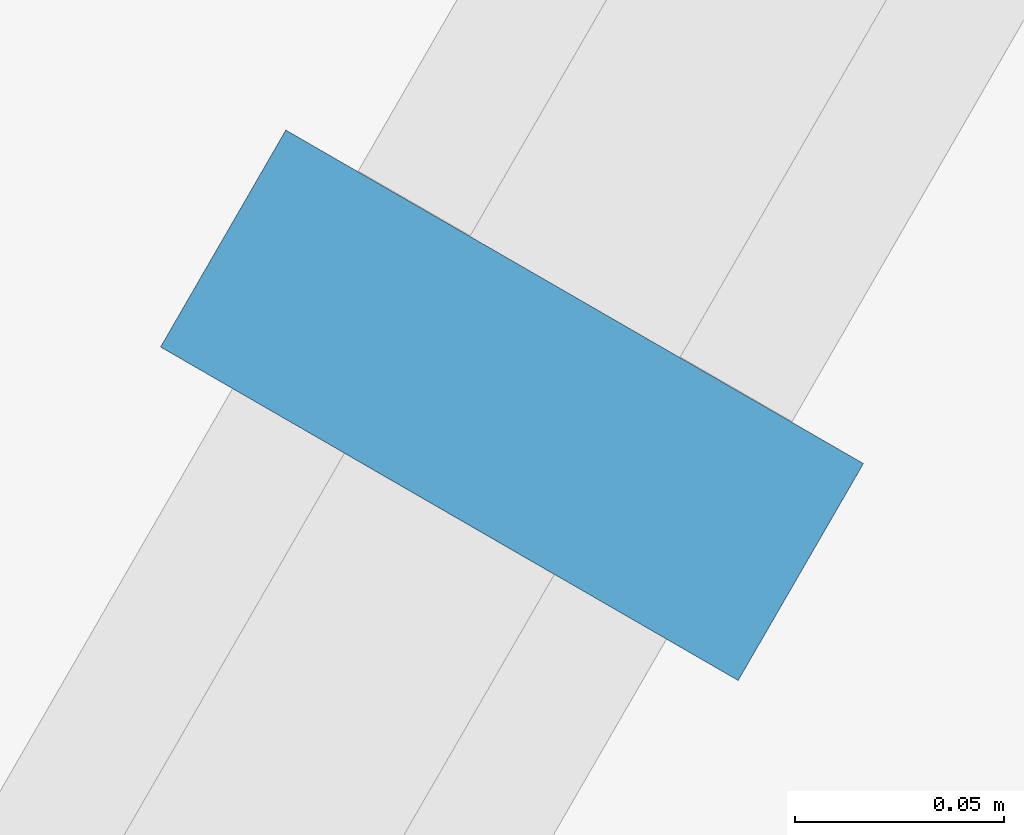
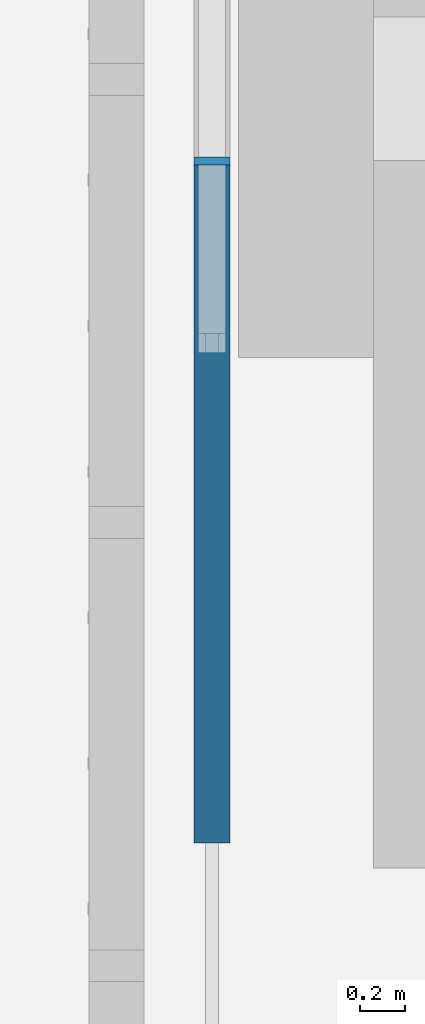
# One storey, part 57 of 127: 1 member, 1 element without a shape of its own.
"""IFC4 building model written with IfcOpenShell, lengths in metres."""

from ifc_helpers import new_model, si_unit, direction, frame, origin, origin_2d, place, context, subcontext, project, spatial, rectangle, extrude, material, material_profile, profile_set, type_object, element, aggregate, save


model = new_model("IFC4")

# Units and contexts
model_context = context("Model", 3, precision=1e-05, world=origin(), true_north=direction((0.0, 1.0)))
body_context = subcontext(model_context, "Body", "Model", "MODEL_VIEW")
ifc_project = project(units=[si_unit("LENGTHUNIT", "METRE"), si_unit("AREAUNIT", "SQUARE_METRE"), si_unit("VOLUMEUNIT", "CUBIC_METRE"), si_unit("PLANEANGLEUNIT", "RADIAN"), si_unit("MASSUNIT", "GRAM", prefix="KILO")], contexts=[model_context])

# Site, building, storey
site_placement = place(None, origin())
site = spatial("IfcSite", under=ifc_project, at=site_placement, CompositionType="ELEMENT")
building_placement = place(site_placement, origin())
building = spatial("IfcBuilding", under=site, at=building_placement, Name="Sandreach Pilgrim Tower", CompositionType="ELEMENT")
storey_placement = place(building_placement, frame((0.0, 0.0, 257.0)))
storey = spatial("IfcBuildingStorey", under=building, at=storey_placement, Name="L64", CompositionType="ELEMENT", Elevation=257.0)

# Curtain wall, member
ifc_material_1 = material(Name="Aluminium framed curtain wall", Category="aluminium")
curtain_wall_type = type_object("IfcCurtainWallType", Name="Suite tower curtain wall", PredefinedType="NOTDEFINED", material=ifc_material_1)
curtain_wall_placement = place(storey_placement, origin())
curtain_wall = element("IfcCurtainWall", 1, at=curtain_wall_placement, inside=storey, type_object=curtain_wall_type, Name="CW-4 L64 NW", PredefinedType="NOTDEFINED")
ifc_material_2 = material(Name="Aluminium extrusion", Category="aluminium")
ifc_material_profile = material_profile(ifc_material_2, rectangle(XDim=0.06005859375, YDim=0.159912109375, at=origin_2d()), Name="CW-4M 60X160")
ifc_profile_set = profile_set([ifc_material_profile], Name="Aluminium extrusion")
member_type = type_object("IfcMemberType", Name="CW-4 mullion", PredefinedType="MULLION", material=ifc_profile_set)
member_placement = place(storey_placement, frame((-23.423583984375, 9.145263671875, 0.0), z_axis=(0.0, 0.0, 1.0), x_axis=(0.5, 0.866025403784, 0.0)))
member = element("IfcMember", 2, at=member_placement, type_object=member_type, Name="CW-4 mullion 2", PredefinedType="MULLION", context=body_context, shape_type="SweptSolid", body=[
    extrude(rectangle(XDim=0.06005859375, YDim=0.159912109375, at=origin_2d()), origin(), (0.0, 0.0, 1.0), 3.639892578125),
])
aggregate(curtain_wall, [member])

save(model, "model.ifc")
